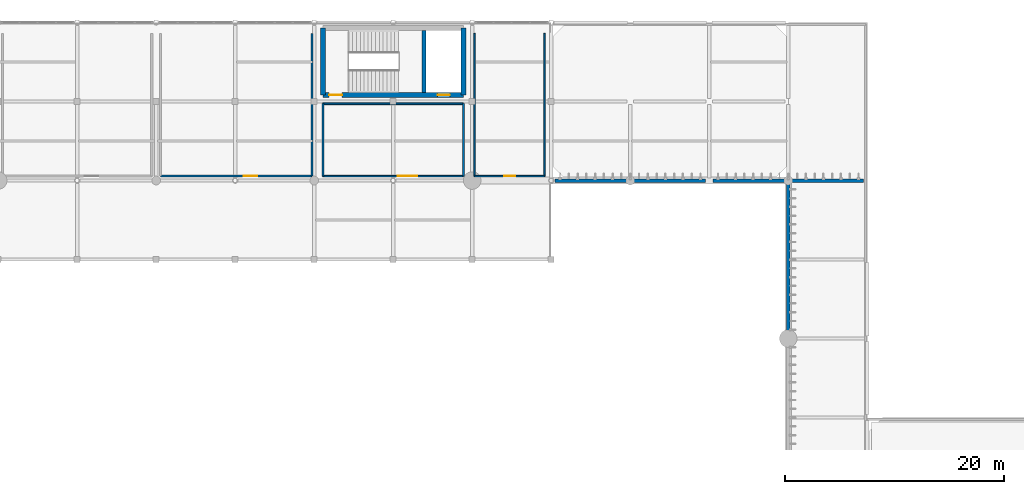
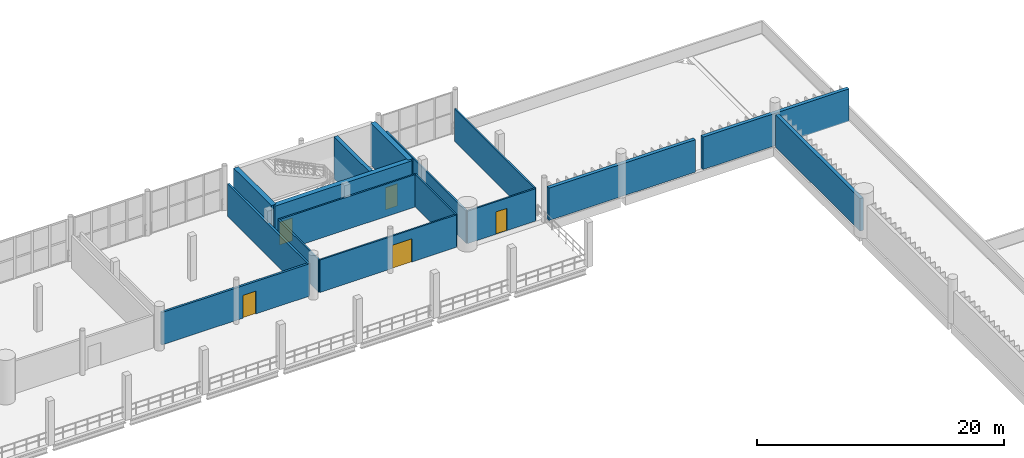
# One storey, part 62 of 81: 16 walls, 5 doors, 5 openings.
"""IFC4 building model written with IfcOpenShell, lengths in metres."""

from ifc_helpers import new_model, si_unit, direction, frame, frame_2d, origin, place, context, subcontext, project, spatial, rectangle, extrude, material, layer, layer_set, type_object, element, fill, save


model = new_model("IFC4")

# Units and contexts
model_context = context("Model", 3, precision=1e-05, world=origin(), true_north=direction((0.0, 1.0)))
body_context = subcontext(model_context, "Body", "Model", "MODEL_VIEW")
ifc_project = project(units=[si_unit("LENGTHUNIT", "METRE"), si_unit("AREAUNIT", "SQUARE_METRE"), si_unit("VOLUMEUNIT", "CUBIC_METRE"), si_unit("PLANEANGLEUNIT", "RADIAN"), si_unit("MASSUNIT", "GRAM", prefix="KILO")], contexts=[model_context])

# Site, building, storey
site_placement = place(None, origin())
site = spatial("IfcSite", under=ifc_project, at=site_placement, CompositionType="ELEMENT")
building_placement = place(site_placement, origin())
building = spatial("IfcBuilding", under=site, at=building_placement, Name="Qandorah Velis Arena", CompositionType="ELEMENT")
storey_placement = place(building_placement, frame((0.0, 0.0, 18.60009765625)))
storey = spatial("IfcBuildingStorey", under=building, at=storey_placement, Name="L04", CompositionType="ELEMENT", Elevation=18.60009765625)

# Walls
ifc_material_1 = material(Name="Precast concrete C40/50", Category="concrete")
ifc_layer_1 = layer(ifc_material_1, 0.320068359375)
ifc_layer_set_1 = layer_set([ifc_layer_1], Name="Precast concrete C40/50")
wall_type_1 = type_object("IfcWallType", Name="ARC-WAL-BOWL320", PredefinedType="SOLIDWALL", material=ifc_layer_set_1)
wall_1_placement = place(storey_placement, frame((115.199951171875, 101.14990234375, 0.0), z_axis=(0.0, 0.0, 1.0), x_axis=(0.0, 1.0, 0.0)))
element("IfcWall", 1, at=wall_1_placement, inside=storey, type_object=wall_type_1, Name="Arena bowl acoustic drum wall 2.8 (L04)", PredefinedType="SOLIDWALL", context=body_context, shape_type="SweptSolid", body=[
    extrude(rectangle(XDim=13.7001953125, YDim=0.320068359375, at=frame_2d((6.85009765625, 0.0))), origin(), (0.0, 0.0, 1.0), 3.2099609375),
])
for number, where, z_axis, x_axis, name in (
    (2, (93.949951171875, 115.199951171875, 0.0), (0.0, 0.0, 1.0), (1.0, 0.0, 0.0), "Arena bowl acoustic drum wall 4.1 (L04)"),
    (3, (108.35009765625, 115.199951171875, 0.0), (0.0, 0.0, 1.0), (1.0, 0.0, 0.0), "Arena bowl acoustic drum wall 4.2 (L04)"),
):
    element("IfcWall", number, at=place(storey_placement, frame(where, z_axis=z_axis, x_axis=x_axis)), inside=storey, type_object=wall_type_1, Name=name, PredefinedType="SOLIDWALL", context=body_context, shape_type="SweptSolid", body=[
        extrude(rectangle(XDim=13.699951171875, YDim=0.320068359375, at=frame_2d((6.85009765625, 0.0))), origin(), (0.0, 0.0, 1.0), 3.2099609375),
    ])

# Wall, opening, door
ifc_material_2 = material(Name="Concrete C35/45", Category="concrete")
ifc_layer_2 = layer(ifc_material_2, 0.199951171875)
ifc_layer_set_2 = layer_set([ifc_layer_2], Name="Concrete C35/45")
wall_type_2 = type_object("IfcWallType", Name="ARC-WAL-FD60-200", PredefinedType="PARTITIONING", material=ifc_layer_set_2)
wall_2_placement = place(storey_placement, frame((58.0, 115.60009765625, 0.0), z_axis=(0.0, 0.0, 1.0), x_axis=(1.0, 0.0, 0.0)))
wall_2 = element("IfcWall", 4, at=wall_2_placement, inside=storey, type_object=wall_type_2, Name="Interior partition L04-OB-COM (S)", PredefinedType="PARTITIONING", context=body_context, shape_type="SweptSolid", body=[
    extrude(rectangle(XDim=13.800048828125, YDim=0.199951171875, at=frame_2d((6.89990234375, 0.0))), origin(), (0.0, 0.0, 1.0), 3.2099609375),
])
opening_1_placement = place(wall_2_placement, frame((7.60009765625, 0.0, 0.0)))
opening_1 = element("IfcOpeningElement", 5, at=opening_1_placement, cuts=wall_2, Name="Opening FD2", PredefinedType="OPENING", context=body_context, shape_type="SweptSolid", body=[
    extrude(rectangle(XDim=1.199951171875, YDim=2.25, at=frame_2d((0.60009765625, 1.125))), frame((0.0, 0.10986328125, 0.0), z_axis=(0.0, -1.0, 0.0), x_axis=(1.0, 0.0, 0.0)), (0.0, 0.0, 1.0), 0.219970703125),
])
ifc_material_3 = material(Name="Insulated fire-rated single steel door", Category="steel")
door_type_1 = type_object("IfcDoorType", Name="ARC-DR-FD1200", OperationType="NOTDEFINED", PredefinedType="DOOR", material=ifc_material_3)
door_1_placement = place(opening_1_placement, frame((1.199951171875, 0.0, 0.0), z_axis=(0.0, 0.0, 1.0), x_axis=(-1.0, 0.0, 0.0)))
door_1 = element("IfcDoor", 6, at=door_1_placement, inside=storey, type_object=door_type_1, Name="Door L04-OB-COM", OperationType="SINGLE_SWING_RIGHT", OverallHeight=2.25, OverallWidth=1.199951171875, PredefinedType="DOOR", context=body_context, shape_type="SweptSolid", body=[
    extrude(rectangle(XDim=1.199951171875, YDim=2.25, at=frame_2d((0.60009765625, 1.125))), frame((0.0, 0.02490234375, 0.0), z_axis=(0.0, -1.0, 0.0), x_axis=(1.0, 0.0, 0.0)), (0.0, 0.0, 1.0), 0.050048828125),
])
fill(opening_1, door_1)

# Wall
wall_3_placement = place(storey_placement, frame((71.800048828125, 115.60009765625, 0.0), z_axis=(0.0, 0.0, 1.0), x_axis=(0.0, 1.0, 0.0)))
element("IfcWall", 7, at=wall_3_placement, inside=storey, type_object=wall_type_2, Name="Interior partition L04-OB-COM (E)", PredefinedType="PARTITIONING", context=body_context, shape_type="SweptSolid", body=[
    extrude(rectangle(XDim=13.0, YDim=0.199951171875, at=frame_2d((6.5, 0.0))), origin(), (0.0, 0.0, 1.0), 3.2099609375),
])

# Wall, opening, door
ifc_layer_3 = layer(ifc_material_2, 0.14990234375)
ifc_layer_set_3 = layer_set([ifc_layer_3], Name="Concrete C35/45")
wall_type_3 = type_object("IfcWallType", Name="ARC-WAL-PART150", PredefinedType="PARTITIONING", material=ifc_layer_set_3)
wall_4_placement = place(storey_placement, frame((72.800048828125, 115.60009765625, 0.0), z_axis=(0.0, 0.0, 1.0), x_axis=(1.0, 0.0, 0.0)))
wall_4 = element("IfcWall", 8, at=wall_4_placement, inside=storey, type_object=wall_type_3, Name="Interior partition L04-INT-SAL (S)", PredefinedType="PARTITIONING", context=body_context, shape_type="SweptSolid", body=[
    extrude(rectangle(XDim=12.800048828125, YDim=0.14990234375, at=frame_2d((6.39990234375, 0.0))), origin(), (0.0, 0.0, 1.0), 3.2099609375),
])
opening_2_placement = place(wall_4_placement, frame((6.800048828125, 0.0, 0.0)))
opening_2 = element("IfcOpeningElement", 9, at=opening_2_placement, cuts=wall_4, Name="Opening D3", PredefinedType="OPENING", context=body_context, shape_type="SweptSolid", body=[
    extrude(rectangle(XDim=1.800048828125, YDim=2.300048828125, at=frame_2d((0.89990234375, 1.14990234375))), frame((0.0, 0.0849609375, 0.0), z_axis=(0.0, -1.0, 0.0), x_axis=(1.0, 0.0, 0.0)), (0.0, 0.0, 1.0), 0.169921875),
])
ifc_material_4 = material(Name="Double-leaf acoustic timber door", Category="wood")
door_type_2 = type_object("IfcDoorType", Name="ARC-DR-DBL1800", OperationType="NOTDEFINED", PredefinedType="DOOR", material=ifc_material_4)
door_2_placement = place(opening_2_placement, origin())
door_2 = element("IfcDoor", 10, at=door_2_placement, inside=storey, type_object=door_type_2, Name="Door L04-INT-SAL", OperationType="DOUBLE_DOOR_SINGLE_SWING", OverallHeight=2.300048828125, OverallWidth=1.800048828125, PredefinedType="DOOR", context=body_context, shape_type="SweptSolid", body=[
    extrude(rectangle(XDim=1.800048828125, YDim=2.300048828125, at=frame_2d((0.89990234375, 1.14990234375))), frame((0.0, 0.02490234375, 0.0), z_axis=(0.0, -1.0, 0.0), x_axis=(1.0, 0.0, 0.0)), (0.0, 0.0, 1.0), 0.050048828125),
])
fill(opening_2, door_2)

# Walls
wall_5_placement = place(storey_placement, frame((85.60009765625, 115.60009765625, 0.0), z_axis=(0.0, 0.0, 1.0), x_axis=(0.0, 1.0, 0.0)))
element("IfcWall", 11, at=wall_5_placement, inside=storey, type_object=wall_type_3, Name="Interior partition L04-INT-SAL (E)", PredefinedType="PARTITIONING", context=body_context, shape_type="SweptSolid", body=[
    extrude(rectangle(XDim=6.599853515625, YDim=0.14990234375, at=frame_2d((3.2998046875, 0.0))), origin(), (0.0, 0.0, 1.0), 3.2099609375),
])
wall_6_placement = place(storey_placement, frame((85.60009765625, 122.199951171875, 0.0), z_axis=(0.0, 0.0, 1.0), x_axis=(-1.0, 0.0, 0.0)))
element("IfcWall", 12, at=wall_6_placement, inside=storey, type_object=wall_type_3, Name="Interior partition L04-INT-SAL (N)", PredefinedType="PARTITIONING", context=body_context, shape_type="SweptSolid", body=[
    extrude(rectangle(XDim=12.800048828125, YDim=0.14990234375, at=frame_2d((6.39990234375, 0.0))), origin(), (0.0, 0.0, 1.0), 3.2099609375),
])
wall_7_placement = place(storey_placement, frame((72.800048828125, 122.199951171875, 0.0), z_axis=(0.0, 0.0, 1.0), x_axis=(0.0, -1.0, 0.0)))
element("IfcWall", 13, at=wall_7_placement, inside=storey, type_object=wall_type_3, Name="Interior partition L04-INT-SAL (W)", PredefinedType="PARTITIONING", context=body_context, shape_type="SweptSolid", body=[
    extrude(rectangle(XDim=6.599853515625, YDim=0.14990234375, at=frame_2d((3.2998046875, 0.0))), origin(), (0.0, 0.0, 1.0), 3.2099609375),
])

# Wall, opening, door
wall_8_placement = place(storey_placement, frame((86.60009765625, 115.60009765625, 0.0), z_axis=(0.0, 0.0, 1.0), x_axis=(1.0, 0.0, 0.0)))
wall_8 = element("IfcWall", 14, at=wall_8_placement, inside=storey, type_object=wall_type_3, Name="Interior partition L04-BRD-OFF (S)", PredefinedType="PARTITIONING", context=body_context, shape_type="SweptSolid", body=[
    extrude(rectangle(XDim=6.39990234375, YDim=0.14990234375, at=frame_2d((3.199951171875, 0.0))), origin(), (0.0, 0.0, 1.0), 3.2099609375),
])
opening_3_placement = place(wall_8_placement, frame((2.699951171875, 0.0, 0.0)))
opening_3 = element("IfcOpeningElement", 15, at=opening_3_placement, cuts=wall_8, Name="Opening D1", PredefinedType="OPENING", context=body_context, shape_type="SweptSolid", body=[
    extrude(rectangle(XDim=1.0, YDim=2.199951171875, at=frame_2d((0.5, 1.10009765625))), frame((0.0, 0.0849609375, 0.0), z_axis=(0.0, -1.0, 0.0), x_axis=(1.0, 0.0, 0.0)), (0.0, 0.0, 1.0), 0.169921875),
])
ifc_material_5 = material(Name="Solid-core hardwood veneer door", Category="wood")
door_type_3 = type_object("IfcDoorType", Name="ARC-DR-INT1000", OperationType="NOTDEFINED", PredefinedType="DOOR", material=ifc_material_5)
door_3_placement = place(opening_3_placement, frame((1.0, 0.0, 0.0), z_axis=(0.0, 0.0, 1.0), x_axis=(-1.0, 0.0, 0.0)))
door_3 = element("IfcDoor", 16, at=door_3_placement, inside=storey, type_object=door_type_3, Name="Door L04-BRD-OFF", OperationType="SINGLE_SWING_RIGHT", OverallHeight=2.199951171875, OverallWidth=1.0, PredefinedType="DOOR", context=body_context, shape_type="SweptSolid", body=[
    extrude(rectangle(XDim=1.0, YDim=2.199951171875, at=frame_2d((0.5, 1.10009765625))), frame((0.0, 0.02490234375, 0.0), z_axis=(0.0, -1.0, 0.0), x_axis=(1.0, 0.0, 0.0)), (0.0, 0.0, 1.0), 0.050048828125),
])
fill(opening_3, door_3)

# Walls
for number, where, z_axis, x_axis, name in (
    (17, (93.0, 115.60009765625, 0.0), (0.0, 0.0, 1.0), (0.0, 1.0, 0.0), "Interior partition L04-BRD-OFF (E)"),
    (18, (86.60009765625, 128.60009765625, 0.0), (0.0, 0.0, 1.0), (0.0, -1.0, 0.0), "Interior partition L04-BRD-OFF (W)"),
):
    element("IfcWall", number, at=place(storey_placement, frame(where, z_axis=z_axis, x_axis=x_axis)), inside=storey, type_object=wall_type_3, Name=name, PredefinedType="PARTITIONING", context=body_context, shape_type="SweptSolid", body=[
        extrude(rectangle(XDim=13.0, YDim=0.14990234375, at=frame_2d((6.5, 0.0))), origin(), (0.0, 0.0, 1.0), 3.2099609375),
    ])

# Wall, openings, doors
ifc_material_6 = material(Name="Concrete C40/50", Category="concrete")
ifc_layer_4 = layer(ifc_material_6, 0.449951171875)
ifc_layer_set_4 = layer_set([ifc_layer_4], Name="Concrete C40/50")
wall_type_4 = type_object("IfcWallType", Name="STR-WAL-CORE450", PredefinedType="SHEAR", material=ifc_layer_set_4)
wall_9_placement = place(storey_placement, frame((72.800048828125, 123.0, 0.0), z_axis=(0.0, 0.0, 1.0), x_axis=(1.0, 0.0, 0.0)))
wall_9 = element("IfcWall", 19, at=wall_9_placement, inside=storey, type_object=wall_type_4, Name="Core CORE-04 shear wall S (L04)", PredefinedType="SHEAR", context=body_context, shape_type="SweptSolid", body=[
    extrude(rectangle(XDim=12.800048828125, YDim=0.449951171875, at=frame_2d((6.39990234375, 0.0))), origin(), (0.0, 0.0, 1.0), 4.14990234375),
])
opening_4_placement = place(wall_9_placement, frame((0.550048828125, 0.0, 0.0)))
opening_4 = element("IfcOpeningElement", 20, at=opening_4_placement, cuts=wall_9, Name="Opening SD1", PredefinedType="OPENING", context=body_context, shape_type="SweptSolid", body=[
    extrude(rectangle(XDim=1.199951171875, YDim=2.25, at=frame_2d((0.60009765625, 1.125))), frame((0.0, 0.23486328125, 0.0), z_axis=(0.0, -1.0, 0.0), x_axis=(1.0, 0.0, 0.0)), (0.0, 0.0, 1.0), 0.469970703125),
])
opening_5_placement = place(wall_9_placement, frame((10.4580078125, 0.0, 0.0)))
opening_5 = element("IfcOpeningElement", 21, at=opening_5_placement, cuts=wall_9, Name="Opening LD1", PredefinedType="OPENING", context=body_context, shape_type="SweptSolid", body=[
    extrude(rectangle(XDim=1.10009765625, YDim=2.199951171875, at=frame_2d((0.550048828125, 1.10009765625))), frame((0.0, 0.23486328125, 0.0), z_axis=(0.0, -1.0, 0.0), x_axis=(1.0, 0.0, 0.0)), (0.0, 0.0, 1.0), 0.469970703125),
])
ifc_material_7 = material(Name="Stainless steel sliding lift landing door", Category="steel")
door_type_4 = type_object("IfcDoorType", Name="ARC-DR-LD1100", OperationType="NOTDEFINED", PredefinedType="DOOR", material=ifc_material_7)
door_4_placement = place(opening_5_placement, origin())
door_4 = element("IfcDoor", 22, at=door_4_placement, inside=storey, type_object=door_type_4, Name="Lift PL2 sliding landing door (L04)", OperationType="SLIDING_TO_RIGHT", OverallHeight=2.199951171875, OverallWidth=1.10009765625, PredefinedType="DOOR", context=body_context, shape_type="SweptSolid", body=[
    extrude(rectangle(XDim=1.10009765625, YDim=2.199951171875, at=frame_2d((0.550048828125, 1.10009765625))), frame((0.0, 0.02490234375, 0.0), z_axis=(0.0, -1.0, 0.0), x_axis=(1.0, 0.0, 0.0)), (0.0, 0.0, 1.0), 0.050048828125),
])
fill(opening_5, door_4)
ifc_material_8 = material(Name="Self-closing fire-rated stair steel door", Category="steel")
door_type_5 = type_object("IfcDoorType", Name="ARC-DR-ST1200", OperationType="NOTDEFINED", PredefinedType="DOOR", material=ifc_material_8)
door_5_placement = place(opening_4_placement, origin())
door_5 = element("IfcDoor", 23, at=door_5_placement, inside=storey, type_object=door_type_5, Name="Stair ST4 fire door (L04)", OperationType="SINGLE_SWING_RIGHT", OverallHeight=2.25, OverallWidth=1.199951171875, PredefinedType="DOOR", context=body_context, shape_type="SweptSolid", body=[
    extrude(rectangle(XDim=1.199951171875, YDim=2.25, at=frame_2d((0.60009765625, 1.125))), frame((0.0, 0.02490234375, 0.0), z_axis=(0.0, -1.0, 0.0), x_axis=(1.0, 0.0, 0.0)), (0.0, 0.0, 1.0), 0.050048828125),
])
fill(opening_4, door_5)

# Walls
for number, where, z_axis, x_axis, name in (
    (24, (72.800048828125, 123.0, 0.0), (0.0, 0.0, 1.0), (0.0, 1.0, 0.0), "Core CORE-04 shear wall W (L04)"),
    (25, (85.60009765625, 123.0, 0.0), (0.0, 0.0, 1.0), (0.0, 1.0, 0.0), "Core CORE-04 shear wall E (L04)"),
):
    element("IfcWall", number, at=place(storey_placement, frame(where, z_axis=z_axis, x_axis=x_axis)), inside=storey, type_object=wall_type_4, Name=name, PredefinedType="SHEAR", context=body_context, shape_type="SweptSolid", body=[
        extrude(rectangle(XDim=6.10009765625, YDim=0.449951171875, at=frame_2d((3.050048828125, 0.0))), origin(), (0.0, 0.0, 1.0), 4.14990234375),
    ])
ifc_layer_5 = layer(ifc_material_6, 0.35009765625)
ifc_layer_set_5 = layer_set([ifc_layer_5], Name="Concrete C40/50")
wall_type_5 = type_object("IfcWallType", Name="STR-WAL-SH350", PredefinedType="SHEAR", material=ifc_layer_set_5)
wall_10_placement = place(storey_placement, frame((82.01611328125, 123.22509765625, 0.0), z_axis=(0.0, 0.0, 1.0), x_axis=(0.0, 1.0, 0.0)))
element("IfcWall", 26, at=wall_10_placement, inside=storey, type_object=wall_type_5, Name="Core CORE-04 shaft divider shear wall (L04)", PredefinedType="SHEAR", context=body_context, shape_type="SweptSolid", body=[
    extrude(rectangle(XDim=5.64990234375, YDim=0.35009765625, at=frame_2d((2.824951171875, 0.0))), origin(), (0.0, 0.0, 1.0), 4.14990234375),
])

save(model, "model.ifc")
